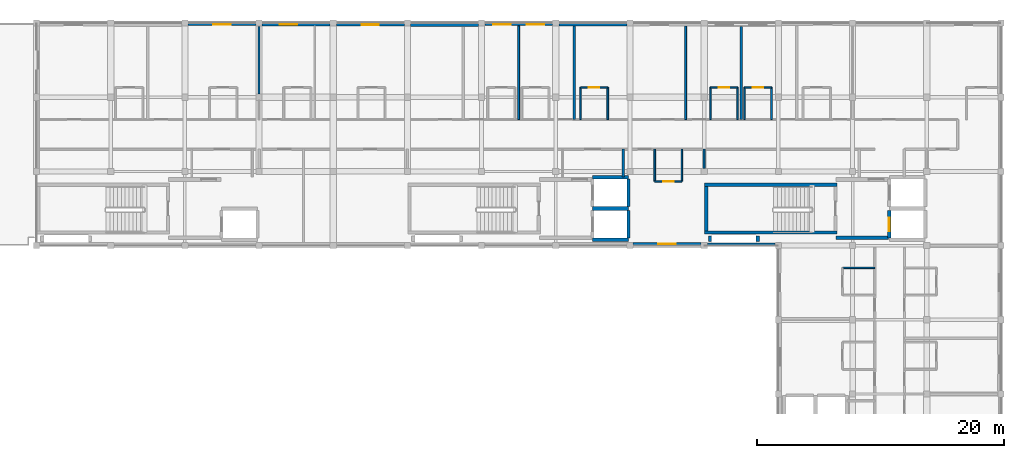
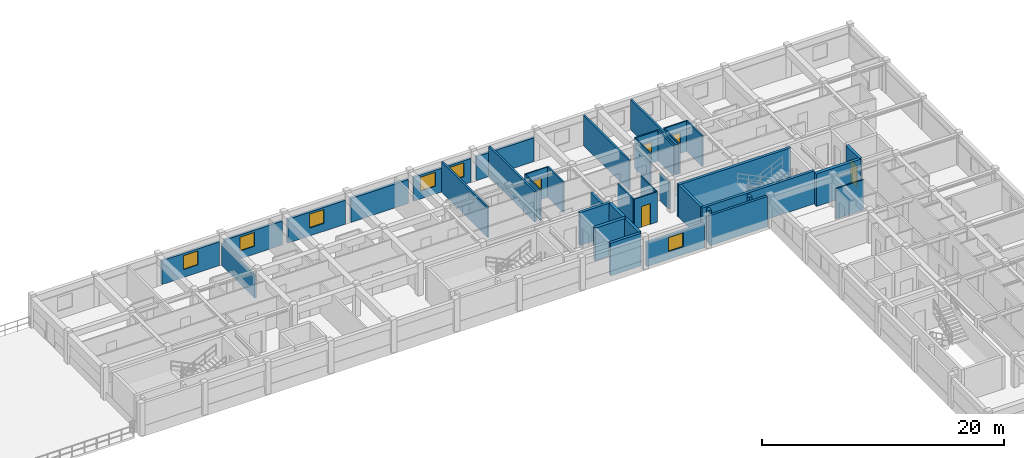
# One storey, part 9 of 15: 40 walls, 6 windows, 5 doors, 11 openings.
"""IFC4 building model written with IfcOpenShell, lengths in metres."""

from ifc_helpers import new_model, si_unit, direction, frame, frame_2d, origin, place, context, subcontext, project, spatial, rectangle, extrude, material, layer, layer_set, type_object, element, fill, save


model = new_model("IFC4")

# Units and contexts
model_context = context("Model", 3, precision=1e-05, world=origin(), true_north=direction((0.0, 1.0)))
body_context = subcontext(model_context, "Body", "Model", "MODEL_VIEW")
ifc_project = project(units=[si_unit("LENGTHUNIT", "METRE"), si_unit("AREAUNIT", "SQUARE_METRE"), si_unit("VOLUMEUNIT", "CUBIC_METRE"), si_unit("PLANEANGLEUNIT", "RADIAN"), si_unit("MASSUNIT", "GRAM", prefix="KILO"), si_unit("THERMODYNAMICTEMPERATUREUNIT", "KELVIN"), si_unit("POWERUNIT", "WATT")], contexts=[model_context])

# Site, building, storey
site_placement = place(None, origin())
site = spatial("IfcSite", under=ifc_project, at=site_placement, CompositionType="ELEMENT")
building_placement = place(site_placement, origin())
building = spatial("IfcBuilding", under=site, at=building_placement, Name="Phaisarnlok Congress Hotel", CompositionType="ELEMENT")
storey_placement = place(building_placement, frame((0.0, 0.0, 38.10009765625)))
storey = spatial("IfcBuildingStorey", under=building, at=storey_placement, Name="L09", CompositionType="ELEMENT", Elevation=38.10009765625)

# Wall, openings, windows
ifc_material_1 = material(Name="Concrete C40/50", Category="concrete")
ifc_layer_1 = layer(ifc_material_1, 0.2099609375, Name="Concrete C40/50")
ifc_layer_set_1 = layer_set([ifc_layer_1], Name="Concrete C40/50")
wall_type_1 = type_object("IfcWallType", Name="WL-EXT-210", PredefinedType="SOLIDWALL", material=ifc_layer_set_1)
wall_1_placement = place(storey_placement, frame((143.7451171875, 125.89501953125, 0.0), z_axis=(0.0, 0.0, 1.0), x_axis=(-1.0, 0.0, 0.0)))
wall_1 = element("IfcWall", 1, at=wall_1_placement, inside=storey, type_object=wall_type_1, Name="Exterior wall EW-07 (L09)", PredefinedType="SOLIDWALL", context=body_context, shape_type="SweptSolid", body=[
    extrude(rectangle(XDim=5.490234375, YDim=0.2099609375, at=frame_2d((2.7451171875, 0.0))), origin(), (0.0, 0.0, 1.0), 2.409912109375),
])
opening_1_placement = place(wall_1_placement, frame((3.407958984375, 0.0, 0.800048828125)))
opening_1 = element("IfcOpeningElement", 2, at=opening_1_placement, cuts=wall_1, Name="Opening W-13", PredefinedType="OPENING", context=body_context, shape_type="SweptSolid", body=[
    extrude(rectangle(XDim=1.39990234375, YDim=1.39990234375, at=frame_2d((0.699951171875, 0.699951171875))), frame((0.0, 0.114990234375, 0.0), z_axis=(0.0, -1.0, 0.0), x_axis=(1.0, 0.0, 0.0)), (0.0, 0.0, 1.0), 0.22998046875),
])
opening_2_placement = place(wall_1_placement, frame((0.681884765625, 0.0, 0.800048828125)))
opening_2 = element("IfcOpeningElement", 3, at=opening_2_placement, cuts=wall_1, Name="Opening W-13", PredefinedType="OPENING", context=body_context, shape_type="SweptSolid", body=[
    extrude(rectangle(XDim=1.39990234375, YDim=1.39990234375, at=frame_2d((0.699951171875, 0.699951171875))), frame((0.0, 0.114990234375, 0.0), z_axis=(0.0, -1.0, 0.0), x_axis=(1.0, 0.0, 0.0)), (0.0, 0.0, 1.0), 0.22998046875),
])
ifc_material_2 = material(Name="Thermally Broken Aluminium & Low-E Double Glazing", Category="aluminium")
window_type = type_object("IfcWindowType", Name="WIN-POD-1400", PartitioningType="SINGLE_PANEL", PredefinedType="WINDOW", material=ifc_material_2)
window_1_placement = place(opening_1_placement, origin())
window_1 = element("IfcWindow", 4, at=window_1_placement, inside=storey, type_object=window_type, Name="Guestroom window W-13 (L09)", OverallHeight=1.39990234375, OverallWidth=1.39990234375, PartitioningType="SINGLE_PANEL", PredefinedType="WINDOW", context=body_context, shape_type="SweptSolid", body=[
    extrude(rectangle(XDim=1.39990234375, YDim=1.39990234375, at=frame_2d((0.699951171875, 0.699951171875))), frame((0.0, 0.030029296875, 0.0), z_axis=(0.0, -1.0, 0.0), x_axis=(1.0, 0.0, 0.0)), (0.0, 0.0, 1.0), 0.06005859375),
])
fill(opening_1, window_1)
window_2_placement = place(opening_2_placement, origin())
window_2 = element("IfcWindow", 5, at=window_2_placement, inside=storey, type_object=window_type, Name="Guestroom window W-13 (L09)", OverallHeight=1.39990234375, OverallWidth=1.39990234375, PartitioningType="SINGLE_PANEL", PredefinedType="WINDOW", context=body_context, shape_type="SweptSolid", body=[
    extrude(rectangle(XDim=1.39990234375, YDim=1.39990234375, at=frame_2d((0.699951171875, 0.699951171875))), frame((0.0, 0.030029296875, 0.0), z_axis=(0.0, -1.0, 0.0), x_axis=(1.0, 0.0, 0.0)), (0.0, 0.0, 1.0), 0.06005859375),
])
fill(opening_2, window_2)

# Wall, opening, window
wall_2_placement = place(storey_placement, frame((119.7451171875, 125.89501953125, 0.0), z_axis=(0.0, 0.0, 1.0), x_axis=(-1.0, 0.0, 0.0)))
wall_2 = element("IfcWall", 6, at=wall_2_placement, inside=storey, type_object=wall_type_1, Name="Exterior wall EW-07 (L09)", PredefinedType="SOLIDWALL", context=body_context, shape_type="SweptSolid", body=[
    extrude(rectangle(XDim=5.490234375, YDim=0.2099609375, at=frame_2d((2.7451171875, 0.0))), origin(), (0.0, 0.0, 1.0), 2.409912109375),
])
opening_3_placement = place(wall_2_placement, frame((2.044921875, 0.0, 0.800048828125)))
opening_3 = element("IfcOpeningElement", 7, at=opening_3_placement, cuts=wall_2, Name="Opening W-13", PredefinedType="OPENING", context=body_context, shape_type="SweptSolid", body=[
    extrude(rectangle(XDim=1.39990234375, YDim=1.39990234375, at=frame_2d((0.699951171875, 0.699951171875))), frame((0.0, 0.114990234375, 0.0), z_axis=(0.0, -1.0, 0.0), x_axis=(1.0, 0.0, 0.0)), (0.0, 0.0, 1.0), 0.22998046875),
])
window_3_placement = place(opening_3_placement, origin())
window_3 = element("IfcWindow", 8, at=window_3_placement, inside=storey, type_object=window_type, Name="Guestroom window W-13 (L09)", OverallHeight=1.39990234375, OverallWidth=1.39990234375, PartitioningType="SINGLE_PANEL", PredefinedType="WINDOW", context=body_context, shape_type="SweptSolid", body=[
    extrude(rectangle(XDim=1.39990234375, YDim=1.39990234375, at=frame_2d((0.699951171875, 0.699951171875))), frame((0.0, 0.030029296875, 0.0), z_axis=(0.0, -1.0, 0.0), x_axis=(1.0, 0.0, 0.0)), (0.0, 0.0, 1.0), 0.06005859375),
])
fill(opening_3, window_3)

# Wall
ifc_layer_2 = layer(ifc_material_1, 0.22998046875, Name="Concrete C40/50")
ifc_layer_set_2 = layer_set([ifc_layer_2], Name="Concrete C40/50")
wall_type_2 = type_object("IfcWallType", Name="WL-EXT-230", PredefinedType="SOLIDWALL", material=ifc_layer_set_2)
wall_3_placement = place(storey_placement, frame((149.7451171875, 125.885009765625, 0.0), z_axis=(0.0, 0.0, 1.0), x_axis=(-1.0, 0.0, 0.0)))
element("IfcWall", 9, at=wall_3_placement, inside=storey, type_object=wall_type_2, Name="Exterior wall EW-06 (L09)", PredefinedType="SOLIDWALL", context=body_context, shape_type="SweptSolid", body=[
    extrude(rectangle(XDim=5.490234375, YDim=0.22998046875, at=frame_2d((2.7451171875, 0.0))), origin(), (0.0, 0.0, 1.0), 2.409912109375),
])

# Wall, opening, window
wall_4_placement = place(storey_placement, frame((125.7451171875, 125.885009765625, 0.0), z_axis=(0.0, 0.0, 1.0), x_axis=(-1.0, 0.0, 0.0)))
wall_4 = element("IfcWall", 10, at=wall_4_placement, inside=storey, type_object=wall_type_2, Name="Exterior wall EW-06 (L09)", PredefinedType="SOLIDWALL", context=body_context, shape_type="SweptSolid", body=[
    extrude(rectangle(XDim=5.490234375, YDim=0.22998046875, at=frame_2d((2.7451171875, 0.0))), origin(), (0.0, 0.0, 1.0), 2.409912109375),
])
opening_4_placement = place(wall_4_placement, frame((2.657958984375, 0.0, 0.800048828125)))
opening_4 = element("IfcOpeningElement", 11, at=opening_4_placement, cuts=wall_4, Name="Opening W-13", PredefinedType="OPENING", context=body_context, shape_type="SweptSolid", body=[
    extrude(rectangle(XDim=1.39990234375, YDim=1.39990234375, at=frame_2d((0.699951171875, 0.699951171875))), frame((0.0, 0.125, 0.0), z_axis=(0.0, -1.0, 0.0), x_axis=(1.0, 0.0, 0.0)), (0.0, 0.0, 1.0), 0.25),
])
window_4_placement = place(opening_4_placement, origin())
window_4 = element("IfcWindow", 12, at=window_4_placement, inside=storey, type_object=window_type, Name="Guestroom window W-13 (L09)", OverallHeight=1.39990234375, OverallWidth=1.39990234375, PartitioningType="SINGLE_PANEL", PredefinedType="WINDOW", context=body_context, shape_type="SweptSolid", body=[
    extrude(rectangle(XDim=1.39990234375, YDim=1.39990234375, at=frame_2d((0.699951171875, 0.699951171875))), frame((0.0, 0.030029296875, 0.0), z_axis=(0.0, -1.0, 0.0), x_axis=(1.0, 0.0, 0.0)), (0.0, 0.0, 1.0), 0.06005859375),
])
fill(opening_4, window_4)

# Wall
wall_5_placement = place(storey_placement, frame((156.2548828125, 108.114990234375, 0.0), z_axis=(0.0, 0.0, 1.0), x_axis=(1.0, 0.0, 0.0)))
element("IfcWall", 13, at=wall_5_placement, inside=storey, type_object=wall_type_2, Name="Exterior wall EW-06 (L09)", PredefinedType="SOLIDWALL", context=body_context, shape_type="SweptSolid", body=[
    extrude(rectangle(XDim=5.490234375, YDim=0.22998046875, at=frame_2d((2.7451171875, 0.0))), origin(), (0.0, 0.0, 1.0), 3.059814453125),
])

# Wall, opening, window
ifc_layer_3 = layer(ifc_material_1, 0.25, Name="Concrete C40/50")
ifc_layer_set_3 = layer_set([ifc_layer_3], Name="Concrete C40/50")
wall_type_3 = type_object("IfcWallType", Name="WL-EXT-250", PredefinedType="SOLIDWALL", material=ifc_layer_set_3)
wall_6_placement = place(storey_placement, frame((131.7451171875, 125.875, 0.0), z_axis=(0.0, 0.0, 1.0), x_axis=(-1.0, 0.0, 0.0)))
wall_6 = element("IfcWall", 14, at=wall_6_placement, inside=storey, type_object=wall_type_3, Name="Exterior wall EW-05 (L09)", PredefinedType="SOLIDWALL", context=body_context, shape_type="SweptSolid", body=[
    extrude(rectangle(XDim=5.490234375, YDim=0.25, at=frame_2d((2.7451171875, 0.0))), origin(), (0.0, 0.0, 1.0), 2.409912109375),
])
opening_5_placement = place(wall_6_placement, frame((2.044921875, 0.0, 0.800048828125)))
opening_5 = element("IfcOpeningElement", 15, at=opening_5_placement, cuts=wall_6, Name="Opening W-13", PredefinedType="OPENING", context=body_context, shape_type="SweptSolid", body=[
    extrude(rectangle(XDim=1.39990234375, YDim=1.39990234375, at=frame_2d((0.699951171875, 0.699951171875))), frame((0.0, 0.135009765625, 0.0), z_axis=(0.0, -1.0, 0.0), x_axis=(1.0, 0.0, 0.0)), (0.0, 0.0, 1.0), 0.27001953125),
])
window_5_placement = place(opening_5_placement, origin())
window_5 = element("IfcWindow", 16, at=window_5_placement, inside=storey, type_object=window_type, Name="Guestroom window W-13 (L09)", OverallHeight=1.39990234375, OverallWidth=1.39990234375, PartitioningType="SINGLE_PANEL", PredefinedType="WINDOW", context=body_context, shape_type="SweptSolid", body=[
    extrude(rectangle(XDim=1.39990234375, YDim=1.39990234375, at=frame_2d((0.699951171875, 0.699951171875))), frame((0.0, 0.030029296875, 0.0), z_axis=(0.0, -1.0, 0.0), x_axis=(1.0, 0.0, 0.0)), (0.0, 0.0, 1.0), 0.06005859375),
])
fill(opening_5, window_5)

wall_7_placement = place(storey_placement, frame((150.2548828125, 108.125, 0.0), z_axis=(0.0, 0.0, 1.0), x_axis=(1.0, 0.0, 0.0)))
wall_7 = element("IfcWall", 17, at=wall_7_placement, inside=storey, type_object=wall_type_3, Name="Exterior wall EW-05 (L09)", PredefinedType="SOLIDWALL", context=body_context, shape_type="SweptSolid", body=[
    extrude(rectangle(XDim=5.490234375, YDim=0.25, at=frame_2d((2.7451171875, 0.0))), origin(), (0.0, 0.0, 1.0), 2.409912109375),
])
opening_6_placement = place(wall_7_placement, frame((2.044921875, 0.0, 0.800048828125)))
opening_6 = element("IfcOpeningElement", 18, at=opening_6_placement, cuts=wall_7, Name="Opening W-13", PredefinedType="OPENING", context=body_context, shape_type="SweptSolid", body=[
    extrude(rectangle(XDim=1.39990234375, YDim=1.39990234375, at=frame_2d((0.699951171875, 0.699951171875))), frame((0.0, 0.135009765625, 0.0), z_axis=(0.0, -1.0, 0.0), x_axis=(1.0, 0.0, 0.0)), (0.0, 0.0, 1.0), 0.27001953125),
])
window_6_placement = place(opening_6_placement, origin())
window_6 = element("IfcWindow", 19, at=window_6_placement, inside=storey, type_object=window_type, Name="Guestroom window W-13 (L09)", OverallHeight=1.39990234375, OverallWidth=1.39990234375, PartitioningType="SINGLE_PANEL", PredefinedType="WINDOW", context=body_context, shape_type="SweptSolid", body=[
    extrude(rectangle(XDim=1.39990234375, YDim=1.39990234375, at=frame_2d((0.699951171875, 0.699951171875))), frame((0.0, 0.030029296875, 0.0), z_axis=(0.0, -1.0, 0.0), x_axis=(1.0, 0.0, 0.0)), (0.0, 0.0, 1.0), 0.06005859375),
])
fill(opening_6, window_6)

# Walls
ifc_layer_4 = layer(ifc_material_1, 0.27001953125, Name="Concrete C40/50")
ifc_layer_set_4 = layer_set([ifc_layer_4], Name="Concrete C40/50")
wall_type_4 = type_object("IfcWallType", Name="WL-EXT-270", PredefinedType="SOLIDWALL", material=ifc_layer_set_4)
wall_8_placement = place(storey_placement, frame((137.7451171875, 125.864990234375, 0.0), z_axis=(0.0, 0.0, 1.0), x_axis=(-1.0, 0.0, 0.0)))
element("IfcWall", 20, at=wall_8_placement, inside=storey, type_object=wall_type_4, Name="Exterior wall EW-04 (L09)", PredefinedType="SOLIDWALL", context=body_context, shape_type="SweptSolid", body=[
    extrude(rectangle(XDim=5.490234375, YDim=0.27001953125, at=frame_2d((2.7451171875, 0.0))), origin(), (0.0, 0.0, 1.0), 2.409912109375),
])
ifc_material_3 = material(Name="Lightweight Metal-Stud Gypsum Partition", Category="gypsum")
ifc_layer_5 = layer(ifc_material_3, 0.1201171875, Name="Lightweight Metal-Stud Gypsum Partition")
ifc_layer_set_5 = layer_set([ifc_layer_5], Name="Lightweight Metal-Stud Gypsum Partition")
wall_type_5 = type_object("IfcWallType", Name="WL-INT-120", PredefinedType="PARTITIONING", material=ifc_layer_set_5)
for number, where, z_axis, x_axis, name in (
    (21, (146.0, 118.199951171875, 0.0), (0.0, 0.0, 1.0), (0.0, 1.0, 0.0), "Interior partition wall IW-07 (L09)"),
    (22, (154.199951171875, 113.199951171875, 0.0), (0.0, 0.0, 1.0), (0.0, 1.0, 0.0), "Interior partition wall IW-07 (L09)"),
    (23, (158.699951171875, 118.199951171875, 0.0), (0.0, 0.0, 1.0), (0.0, 1.0, 0.0), "Interior partition wall IW-07 (L09)"),
    (24, (159.25, 118.199951171875, 0.0), (0.0, 0.0, 1.0), (0.0, 1.0, 0.0), "Interior partition wall IW-07 (L09)"),
):
    element("IfcWall", number, at=place(storey_placement, frame(where, z_axis=z_axis, x_axis=x_axis)), inside=storey, type_object=wall_type_5, Name=name, PredefinedType="PARTITIONING", context=body_context, shape_type="SweptSolid", body=[
        extrude(rectangle(XDim=2.60009765625, YDim=0.1201171875, at=frame_2d((1.300048828125, 0.0))), origin(), (0.0, 0.0, 1.0), 3.059814453125),
    ])

# Wall, opening, door
wall_9_placement = place(storey_placement, frame((152.0, 113.199951171875, 0.0), z_axis=(0.0, 0.0, 1.0), x_axis=(1.0, 0.0, 0.0)))
wall_9 = element("IfcWall", 25, at=wall_9_placement, inside=storey, type_object=wall_type_5, Name="Interior partition wall IW-07 (L09)", PredefinedType="PARTITIONING", context=body_context, shape_type="SweptSolid", body=[
    extrude(rectangle(XDim=2.199951171875, YDim=0.1201171875, at=frame_2d((1.10009765625, 0.0))), origin(), (0.0, 0.0, 1.0), 3.059814453125),
])
opening_7_placement = place(wall_9_placement, frame((0.675048828125, 0.0, 0.0)))
opening_7 = element("IfcOpeningElement", 26, at=opening_7_placement, cuts=wall_9, Name="Opening D-0514", PredefinedType="OPENING", context=body_context, shape_type="SweptSolid", body=[
    extrude(rectangle(XDim=0.85009765625, YDim=2.10009765625, at=frame_2d((0.425048828125, 1.050048828125))), frame((0.0, 0.070068359375, 0.0), z_axis=(0.0, -1.0, 0.0), x_axis=(1.0, 0.0, 0.0)), (0.0, 0.0, 1.0), 0.14013671875),
])
ifc_material_4 = material(Name="Moisture-Resistant Lacquered Timber", Category="wood")
door_type_1 = type_object("IfcDoorType", Name="DR-BATH-850", OperationType="NOTDEFINED", PredefinedType="DOOR", material=ifc_material_4)
door_1_placement = place(opening_7_placement, origin())
door_1 = element("IfcDoor", 27, at=door_1_placement, inside=storey, type_object=door_type_1, Name="Interior door D-0514 (L09)", OperationType="SINGLE_SWING_LEFT", OverallHeight=2.10009765625, OverallWidth=0.85009765625, PredefinedType="DOOR", context=body_context, shape_type="SweptSolid", body=[
    extrude(rectangle(XDim=0.85009765625, YDim=2.10009765625, at=frame_2d((0.425048828125, 1.050048828125))), frame((0.0, 0.02490234375, 0.0), z_axis=(0.0, -1.0, 0.0), x_axis=(1.0, 0.0, 0.0)), (0.0, 0.0, 1.0), 0.050048828125),
])
fill(opening_7, door_1)

wall_10_placement = place(storey_placement, frame((146.0, 120.800048828125, 0.0), z_axis=(0.0, 0.0, 1.0), x_axis=(1.0, 0.0, 0.0)))
wall_10 = element("IfcWall", 28, at=wall_10_placement, inside=storey, type_object=wall_type_5, Name="Interior partition wall IW-07 (L09)", PredefinedType="PARTITIONING", context=body_context, shape_type="SweptSolid", body=[
    extrude(rectangle(XDim=2.199951171875, YDim=0.1201171875, at=frame_2d((1.10009765625, 0.0))), origin(), (0.0, 0.0, 1.0), 3.059814453125),
])
opening_8_placement = place(wall_10_placement, frame((0.675048828125, 0.0, 0.0)))
opening_8 = element("IfcOpeningElement", 29, at=opening_8_placement, cuts=wall_10, Name="Opening D-0504", PredefinedType="OPENING", context=body_context, shape_type="SweptSolid", body=[
    extrude(rectangle(XDim=0.85009765625, YDim=2.10009765625, at=frame_2d((0.425048828125, 1.050048828125))), frame((0.0, 0.070068359375, 0.0), z_axis=(0.0, -1.0, 0.0), x_axis=(1.0, 0.0, 0.0)), (0.0, 0.0, 1.0), 0.14013671875),
])
door_2_placement = place(opening_8_placement, origin())
door_2 = element("IfcDoor", 30, at=door_2_placement, inside=storey, type_object=door_type_1, Name="Interior door D-0504 (L09)", OperationType="SINGLE_SWING_LEFT", OverallHeight=2.10009765625, OverallWidth=0.85009765625, PredefinedType="DOOR", context=body_context, shape_type="SweptSolid", body=[
    extrude(rectangle(XDim=0.85009765625, YDim=2.10009765625, at=frame_2d((0.425048828125, 1.050048828125))), frame((0.0, 0.02490234375, 0.0), z_axis=(0.0, -1.0, 0.0), x_axis=(1.0, 0.0, 0.0)), (0.0, 0.0, 1.0), 0.050048828125),
])
fill(opening_8, door_2)

wall_11_placement = place(storey_placement, frame((159.25, 120.800048828125, 0.0), z_axis=(0.0, 0.0, 1.0), x_axis=(1.0, 0.0, 0.0)))
wall_11 = element("IfcWall", 31, at=wall_11_placement, inside=storey, type_object=wall_type_5, Name="Interior partition wall IW-07 (L09)", PredefinedType="PARTITIONING", context=body_context, shape_type="SweptSolid", body=[
    extrude(rectangle(XDim=2.199951171875, YDim=0.1201171875, at=frame_2d((1.10009765625, 0.0))), origin(), (0.0, 0.0, 1.0), 3.059814453125),
])
opening_9_placement = place(wall_11_placement, frame((0.675048828125, 0.0, 0.0)))
opening_9 = element("IfcOpeningElement", 32, at=opening_9_placement, cuts=wall_11, Name="Opening D-0508", PredefinedType="OPENING", context=body_context, shape_type="SweptSolid", body=[
    extrude(rectangle(XDim=0.85009765625, YDim=2.10009765625, at=frame_2d((0.425048828125, 1.050048828125))), frame((0.0, 0.070068359375, 0.0), z_axis=(0.0, -1.0, 0.0), x_axis=(1.0, 0.0, 0.0)), (0.0, 0.0, 1.0), 0.14013671875),
])
door_3_placement = place(opening_9_placement, origin())
door_3 = element("IfcDoor", 33, at=door_3_placement, inside=storey, type_object=door_type_1, Name="Interior door D-0508 (L09)", OperationType="SINGLE_SWING_LEFT", OverallHeight=2.10009765625, OverallWidth=0.85009765625, PredefinedType="DOOR", context=body_context, shape_type="SweptSolid", body=[
    extrude(rectangle(XDim=0.85009765625, YDim=2.10009765625, at=frame_2d((0.425048828125, 1.050048828125))), frame((0.0, 0.02490234375, 0.0), z_axis=(0.0, -1.0, 0.0), x_axis=(1.0, 0.0, 0.0)), (0.0, 0.0, 1.0), 0.050048828125),
])
fill(opening_9, door_3)

# Walls
ifc_material_5 = material(Name="Moisture-Resistant Gypsum Partition", Category="gypsum")
ifc_layer_6 = layer(ifc_material_5, 0.135009765625, Name="Moisture-Resistant Gypsum Partition")
ifc_layer_set_6 = layer_set([ifc_layer_6], Name="Moisture-Resistant Gypsum Partition")
wall_type_6 = type_object("IfcWallType", Name="WL-INT-135", PredefinedType="PARTITIONING", material=ifc_layer_set_6)
for number, where, z_axis, x_axis, name in (
    (34, (148.199951171875, 118.199951171875, 0.0), (0.0, 0.0, 1.0), (0.0, 1.0, 0.0), "Interior partition wall IW-06 (L09)"),
    (35, (152.0, 113.199951171875, 0.0), (0.0, 0.0, 1.0), (0.0, 1.0, 0.0), "Interior partition wall IW-06 (L09)"),
    (36, (156.5, 118.199951171875, 0.0), (0.0, 0.0, 1.0), (0.0, 1.0, 0.0), "Interior partition wall IW-06 (L09)"),
    (37, (161.449951171875, 118.199951171875, 0.0), (0.0, 0.0, 1.0), (0.0, 1.0, 0.0), "Interior partition wall IW-06 (L09)"),
    (38, (167.199951171875, 106.199951171875, 0.0), (0.0, 0.0, 1.0), (1.0, 0.0, 0.0), "Interior partition wall IW-06 (L09)"),
):
    element("IfcWall", number, at=place(storey_placement, frame(where, z_axis=z_axis, x_axis=x_axis)), inside=storey, type_object=wall_type_6, Name=name, PredefinedType="PARTITIONING", context=body_context, shape_type="SweptSolid", body=[
        extrude(rectangle(XDim=2.60009765625, YDim=0.135009765625, at=frame_2d((1.300048828125, 0.0))), origin(), (0.0, 0.0, 1.0), 3.059814453125),
    ])

# Wall, opening, door
wall_12_placement = place(storey_placement, frame((156.5, 120.800048828125, 0.0), z_axis=(0.0, 0.0, 1.0), x_axis=(1.0, 0.0, 0.0)))
wall_12 = element("IfcWall", 39, at=wall_12_placement, inside=storey, type_object=wall_type_6, Name="Interior partition wall IW-06 (L09)", PredefinedType="PARTITIONING", context=body_context, shape_type="SweptSolid", body=[
    extrude(rectangle(XDim=2.199951171875, YDim=0.135009765625, at=frame_2d((1.10009765625, 0.0))), origin(), (0.0, 0.0, 1.0), 3.059814453125),
])
opening_10_placement = place(wall_12_placement, frame((0.675048828125, 0.0, 0.0)))
opening_10 = element("IfcOpeningElement", 40, at=opening_10_placement, cuts=wall_12, Name="Opening D-0506", PredefinedType="OPENING", context=body_context, shape_type="SweptSolid", body=[
    extrude(rectangle(XDim=0.85009765625, YDim=2.10009765625, at=frame_2d((0.425048828125, 1.050048828125))), frame((0.0, 0.07763671875, 0.0), z_axis=(0.0, -1.0, 0.0), x_axis=(1.0, 0.0, 0.0)), (0.0, 0.0, 1.0), 0.155029296875),
])
door_4_placement = place(opening_10_placement, origin())
door_4 = element("IfcDoor", 41, at=door_4_placement, inside=storey, type_object=door_type_1, Name="Interior door D-0506 (L09)", OperationType="SINGLE_SWING_LEFT", OverallHeight=2.10009765625, OverallWidth=0.85009765625, PredefinedType="DOOR", context=body_context, shape_type="SweptSolid", body=[
    extrude(rectangle(XDim=0.85009765625, YDim=2.10009765625, at=frame_2d((0.425048828125, 1.050048828125))), frame((0.0, 0.02490234375, 0.0), z_axis=(0.0, -1.0, 0.0), x_axis=(1.0, 0.0, 0.0)), (0.0, 0.0, 1.0), 0.050048828125),
])
fill(opening_10, door_4)

# Walls
ifc_material_6 = material(Name="Acoustic Gypsum Board & Mineral Wool", Category="gypsum")
ifc_layer_7 = layer(ifc_material_6, 0.14990234375, Name="Acoustic Gypsum Board & Mineral Wool")
ifc_layer_set_7 = layer_set([ifc_layer_7], Name="Acoustic Gypsum Board & Mineral Wool")
wall_type_7 = type_object("IfcWallType", Name="WL-INT-150", PredefinedType="PARTITIONING", material=ifc_layer_set_7)
wall_13_placement = place(storey_placement, frame((156.0, 114.2548828125, 0.0), z_axis=(0.0, 0.0, 1.0), x_axis=(0.0, 1.0, 0.0)))
element("IfcWall", 42, at=wall_13_placement, inside=storey, type_object=wall_type_7, Name="Interior partition wall IW-05 (L09)", PredefinedType="PARTITIONING", context=body_context, shape_type="SweptSolid", body=[
    extrude(rectangle(XDim=1.545166015625, YDim=0.14990234375, at=frame_2d((0.7724609375, 0.0))), origin(), (0.0, 0.0, 1.0), 2.719970703125),
])
ifc_material_7 = material(Name="Double-Stud Acoustic Gypsum Partition", Category="gypsum")
ifc_layer_8 = layer(ifc_material_7, 0.159912109375, Name="Double-Stud Acoustic Gypsum Partition")
ifc_layer_set_8 = layer_set([ifc_layer_8], Name="Double-Stud Acoustic Gypsum Partition")
wall_type_8 = type_object("IfcWallType", Name="WL-INT-160", PredefinedType="PARTITIONING", material=ifc_layer_set_8)
wall_14_placement = place(storey_placement, frame((141.0, 118.199951171875, 0.0), z_axis=(0.0, 0.0, 1.0), x_axis=(0.0, 1.0, 0.0)))
element("IfcWall", 43, at=wall_14_placement, inside=storey, type_object=wall_type_8, Name="Interior partition wall IW-04 (L09)", PredefinedType="PARTITIONING", context=body_context, shape_type="SweptSolid", body=[
    extrude(rectangle(XDim=7.5849609375, YDim=0.159912109375, at=frame_2d((3.79248046875, 0.0))), origin(), (0.0, 0.0, 1.0), 3.059814453125),
])
wall_15_placement = place(storey_placement, frame((154.5, 118.199951171875, 0.0), z_axis=(0.0, 0.0, 1.0), x_axis=(0.0, 1.0, 0.0)))
element("IfcWall", 44, at=wall_15_placement, inside=storey, type_object=wall_type_8, Name="Interior partition wall IW-04 (L09)", PredefinedType="PARTITIONING", context=body_context, shape_type="SweptSolid", body=[
    extrude(rectangle(XDim=7.545166015625, YDim=0.159912109375, at=frame_2d((3.7724609375, 0.0))), origin(), (0.0, 0.0, 1.0), 3.059814453125),
])
ifc_material_8 = material(Name="Autoclaved Aerated Concrete Block", Category="concrete")
ifc_layer_9 = layer(ifc_material_8, 0.179931640625, Name="Autoclaved Aerated Concrete Block")
ifc_layer_set_9 = layer_set([ifc_layer_9], Name="Autoclaved Aerated Concrete Block")
wall_type_9 = type_object("IfcWallType", Name="WL-INT-180", PredefinedType="PARTITIONING", material=ifc_layer_set_9)
wall_16_placement = place(storey_placement, frame((120.0, 120.2548828125, 0.0), z_axis=(0.0, 0.0, 1.0), x_axis=(0.0, 1.0, 0.0)))
element("IfcWall", 45, at=wall_16_placement, inside=storey, type_object=wall_type_9, Name="Interior partition wall IW-03 (L09)", PredefinedType="PARTITIONING", context=body_context, shape_type="SweptSolid", body=[
    extrude(rectangle(XDim=5.465087890625, YDim=0.179931640625, at=frame_2d((2.732421875, 0.0))), origin(), (0.0, 0.0, 1.0), 2.260009765625),
])
wall_17_placement = place(storey_placement, frame((145.5, 118.199951171875, 0.0), z_axis=(0.0, 0.0, 1.0), x_axis=(0.0, 1.0, 0.0)))
element("IfcWall", 46, at=wall_17_placement, inside=storey, type_object=wall_type_9, Name="Interior partition wall IW-03 (L09)", PredefinedType="PARTITIONING", context=body_context, shape_type="SweptSolid", body=[
    extrude(rectangle(XDim=7.56494140625, YDim=0.179931640625, at=frame_2d((3.782470703125, 0.0))), origin(), (0.0, 0.0, 1.0), 3.059814453125),
])
wall_18_placement = place(storey_placement, frame((159.0, 118.199951171875, 0.0), z_axis=(0.0, 0.0, 1.0), x_axis=(0.0, 1.0, 0.0)))
element("IfcWall", 47, at=wall_18_placement, inside=storey, type_object=wall_type_9, Name="Interior partition wall IW-03 (L09)", PredefinedType="PARTITIONING", context=body_context, shape_type="SweptSolid", body=[
    extrude(rectangle(XDim=7.525146484375, YDim=0.179931640625, at=frame_2d((3.7626953125, 0.0))), origin(), (0.0, 0.0, 1.0), 3.059814453125),
])
ifc_layer_10 = layer(ifc_material_8, 0.199951171875, Name="Autoclaved Aerated Concrete Block")
ifc_layer_set_10 = layer_set([ifc_layer_10], Name="Autoclaved Aerated Concrete Block")
wall_type_10 = type_object("IfcWallType", Name="WL-INT-200", PredefinedType="PARTITIONING", material=ifc_layer_set_10)
wall_19_placement = place(storey_placement, frame((149.449951171875, 113.56005859375, 0.0), z_axis=(0.0, 0.0, 1.0), x_axis=(0.0, 1.0, 0.0)))
element("IfcWall", 48, at=wall_19_placement, inside=storey, type_object=wall_type_10, Name="Interior partition wall IW-02 (L09)", PredefinedType="PARTITIONING", context=body_context, shape_type="SweptSolid", body=[
    extrude(rectangle(XDim=2.239990234375, YDim=0.199951171875, at=frame_2d((1.1201171875, 0.0))), origin(), (0.0, 0.0, 1.0), 3.059814453125),
])
ifc_material_9 = material(Name="Concrete C50/60", Category="concrete")
ifc_layer_11 = layer(ifc_material_9, 0.260009765625, Name="Concrete C50/60")
ifc_layer_set_11 = layer_set([ifc_layer_11], Name="Concrete C50/60")
wall_type_11 = type_object("IfcWallType", Name="WL-SHR-260", PredefinedType="SHEAR", material=ifc_layer_set_11)
for number, where, z_axis, x_axis, name in (
    (49, (156.0400390625, 109.070068359375, 0.0), (0.0, 0.0, 1.0), (1.0, 0.0, 0.0), "Stair shaft shear wall SW-04 (CORE-1 L09)"),
    (50, (156.0400390625, 112.929931640625, 0.0), (0.0, 0.0, 1.0), (1.0, 0.0, 0.0), "Stair shaft shear wall SW-04 (CORE-1 L09)"),
):
    element("IfcWall", number, at=place(storey_placement, frame(where, z_axis=z_axis, x_axis=x_axis)), inside=storey, type_object=wall_type_11, Name=name, PredefinedType="SHEAR", context=body_context, shape_type="SweptSolid", body=[
        extrude(rectangle(XDim=10.719970703125, YDim=0.260009765625, at=frame_2d((5.35986328125, 0.0))), origin(), (0.0, 0.0, 1.0), 3.2998046875),
    ])
wall_20_placement = place(storey_placement, frame((156.169921875, 109.199951171875, 0.0), z_axis=(0.0, 0.0, 1.0), x_axis=(0.0, 1.0, 0.0)))
element("IfcWall", 51, at=wall_20_placement, inside=storey, type_object=wall_type_11, Name="Stair shaft shear wall SW-04 (CORE-1 L09)", PredefinedType="SHEAR", context=body_context, shape_type="SweptSolid", body=[
    extrude(rectangle(XDim=3.60009765625, YDim=0.260009765625, at=frame_2d((1.800048828125, 0.0))), origin(), (0.0, 0.0, 1.0), 3.2998046875),
])

# Wall, opening, door
wall_21_placement = place(storey_placement, frame((170.969970703125, 108.60009765625, 0.0), z_axis=(0.0, 0.0, 1.0), x_axis=(0.0, 1.0, 0.0)))
wall_21 = element("IfcWall", 52, at=wall_21_placement, inside=storey, type_object=wall_type_11, Name="Lift shaft front wall SW-04 (LF-FF1 L09)", PredefinedType="SHEAR", context=body_context, shape_type="SweptSolid", body=[
    extrude(rectangle(XDim=2.25, YDim=0.260009765625, at=frame_2d((1.125, 0.0))), origin(), (0.0, 0.0, 1.0), 3.2998046875),
])
opening_11_placement = place(wall_21_placement, frame((0.574951171875, 0.0, 0.0)))
opening_11 = element("IfcOpeningElement", 53, at=opening_11_placement, cuts=wall_21, Name="Opening LD-011", PredefinedType="OPENING", context=body_context, shape_type="SweptSolid", body=[
    extrude(rectangle(XDim=1.10009765625, YDim=2.199951171875, at=frame_2d((0.550048828125, 1.10009765625))), frame((0.0, 0.14013671875, 0.0), z_axis=(0.0, -1.0, 0.0), x_axis=(1.0, 0.0, 0.0)), (0.0, 0.0, 1.0), 0.280029296875),
])
ifc_material_10 = material(Name="Brushed Stainless Steel Grade 304", Category="steel")
door_type_2 = type_object("IfcDoorType", Name="DR-LD-1100", OperationType="DOUBLE_DOOR_SLIDING", PredefinedType="DOOR", material=ifc_material_10)
door_5_placement = place(opening_11_placement, origin())
door_5 = element("IfcDoor", 54, at=door_5_placement, inside=storey, type_object=door_type_2, Name="Lift landing sliding door LD-011 (LF-FF1 L09)", OperationType="DOUBLE_DOOR_SLIDING", OverallHeight=2.199951171875, OverallWidth=1.10009765625, PredefinedType="DOOR", context=body_context, shape_type="SweptSolid", body=[
    extrude(rectangle(XDim=1.10009765625, YDim=2.199951171875, at=frame_2d((0.550048828125, 1.10009765625))), frame((0.0, 0.02490234375, 0.0), z_axis=(0.0, -1.0, 0.0), x_axis=(1.0, 0.0, 0.0)), (0.0, 0.0, 1.0), 0.050048828125),
])
fill(opening_11, door_5)

# Walls
for number, where, z_axis, x_axis, name in (
    (55, (156.469970703125, 108.330078125, 0.0), (0.0, 0.0, 1.0), (0.0, 1.0, 0.0), "Service riser shaft wall SW-04 (CORE-1 L09)"),
    (56, (160.330078125, 108.330078125, 0.0), (0.0, 0.0, 1.0), (0.0, 1.0, 0.0), "Service riser shaft wall SW-04 (CORE-1 L09)"),
):
    element("IfcWall", number, at=place(storey_placement, frame(where, z_axis=z_axis, x_axis=x_axis)), inside=storey, type_object=wall_type_11, Name=name, PredefinedType="SHEAR", context=body_context, shape_type="SweptSolid", body=[
        extrude(rectangle(XDim=0.43994140625, YDim=0.260009765625, at=frame_2d((0.219970703125, 0.0))), origin(), (0.0, 0.0, 1.0), 3.2998046875),
    ])
wall_22_placement = place(storey_placement, frame((146.969970703125, 108.469970703125, 0.0), z_axis=(0.0, 0.0, 1.0), x_axis=(1.0, 0.0, 0.0)))
element("IfcWall", 57, at=wall_22_placement, inside=storey, type_object=wall_type_11, Name="Lift shaft shear wall SW-04 (LF-FF2 L09)", PredefinedType="SHEAR", context=body_context, shape_type="SweptSolid", body=[
    extrude(rectangle(XDim=2.909912109375, YDim=0.260009765625, at=frame_2d((1.455078125, 0.0))), origin(), (0.0, 0.0, 1.0), 3.2998046875),
])
wall_23_placement = place(storey_placement, frame((149.8798828125, 108.60009765625, 0.0), z_axis=(0.0, 0.0, 1.0), x_axis=(0.0, 1.0, 0.0)))
element("IfcWall", 58, at=wall_23_placement, inside=storey, type_object=wall_type_11, Name="Lift shaft shear wall SW-04 (LF-FF2 L09)", PredefinedType="SHEAR", context=body_context, shape_type="SweptSolid", body=[
    extrude(rectangle(XDim=2.25, YDim=0.260009765625, at=frame_2d((1.125, 0.0))), origin(), (0.0, 0.0, 1.0), 3.2998046875),
])
wall_24_placement = place(storey_placement, frame((146.969970703125, 113.530029296875, 0.0), z_axis=(0.0, 0.0, 1.0), x_axis=(1.0, 0.0, 0.0)))
element("IfcWall", 59, at=wall_24_placement, inside=storey, type_object=wall_type_11, Name="Lift shaft shear wall SW-04 (LF-HP2 L09)", PredefinedType="SHEAR", context=body_context, shape_type="SweptSolid", body=[
    extrude(rectangle(XDim=2.909912109375, YDim=0.260009765625, at=frame_2d((1.455078125, 0.0))), origin(), (0.0, 0.0, 1.0), 3.2998046875),
])
wall_25_placement = place(storey_placement, frame((149.8798828125, 111.14990234375, 0.0), z_axis=(0.0, 0.0, 1.0), x_axis=(0.0, 1.0, 0.0)))
element("IfcWall", 60, at=wall_25_placement, inside=storey, type_object=wall_type_11, Name="Lift shaft shear wall SW-04 (LF-HP2 L09)", PredefinedType="SHEAR", context=body_context, shape_type="SweptSolid", body=[
    extrude(rectangle(XDim=2.25, YDim=0.260009765625, at=frame_2d((1.125, 0.0))), origin(), (0.0, 0.0, 1.0), 3.2998046875),
])
ifc_layer_12 = layer(ifc_material_9, 0.300048828125, Name="Concrete C50/60")
ifc_layer_set_12 = layer_set([ifc_layer_12], Name="Concrete C50/60")
wall_type_12 = type_object("IfcWallType", Name="WL-SHR-300", PredefinedType="SHEAR", material=ifc_layer_set_12)
wall_26_placement = place(storey_placement, frame((166.679931640625, 108.64990234375, 0.0), z_axis=(0.0, 0.0, 1.0), x_axis=(1.0, 0.0, 0.0)))
element("IfcWall", 61, at=wall_26_placement, inside=storey, type_object=wall_type_12, Name="Core lobby EI-120 wall SW-03 (CORE-1 L09)", PredefinedType="SHEAR", context=body_context, shape_type="SweptSolid", body=[
    extrude(rectangle(XDim=4.239990234375, YDim=0.300048828125, at=frame_2d((2.1201171875, 0.0))), origin(), (0.0, 0.0, 1.0), 3.2998046875),
])
wall_27_placement = place(storey_placement, frame((146.969970703125, 111.0, 0.0), z_axis=(0.0, 0.0, 1.0), x_axis=(1.0, 0.0, 0.0)))
element("IfcWall", 62, at=wall_27_placement, inside=storey, type_object=wall_type_12, Name="Lift shaft divider shear wall SW-03 (LF-FF2 L09)", PredefinedType="SHEAR", context=body_context, shape_type="SweptSolid", body=[
    extrude(rectangle(XDim=2.909912109375, YDim=0.300048828125, at=frame_2d((1.455078125, 0.0))), origin(), (0.0, 0.0, 1.0), 3.2998046875),
])

save(model, "model.ifc")
